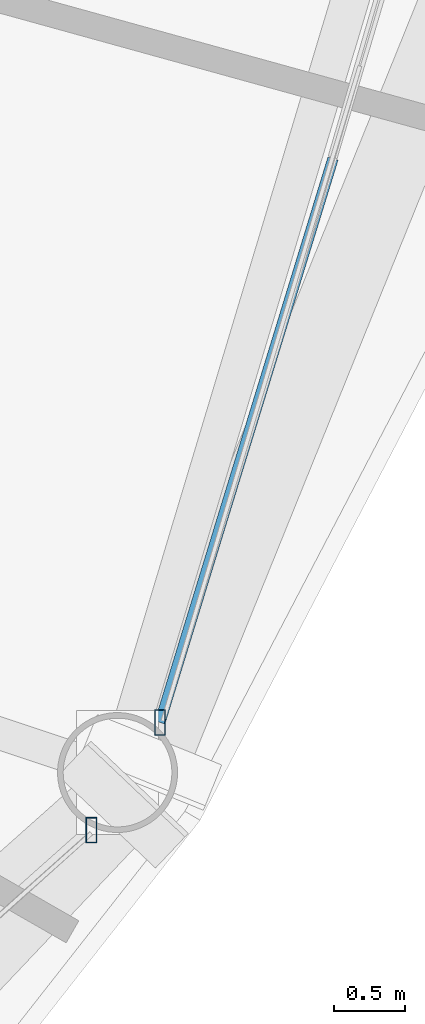
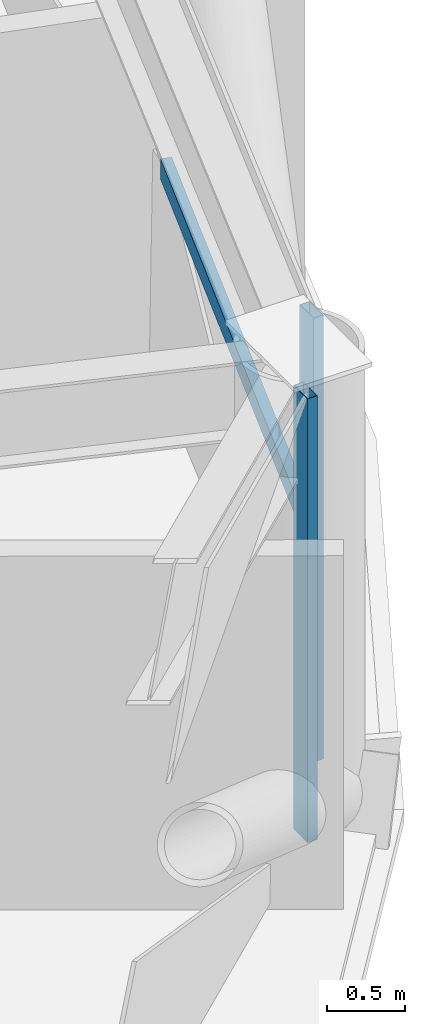
# One storey, part 10 of 31: 3 members, 2 elements without a shape of their own.
"""IFC4 building model written with IfcOpenShell, lengths in metres."""

from ifc_helpers import new_model, si_unit, direction, frame, origin, origin_2d, place, context, subcontext, project, spatial, hollow_rectangle, extrude, material, layer, layer_set, material_profile, profile_set, type_object, element, aggregate, save


model = new_model("IFC4")

# Units and contexts
model_context = context("Model", 3, precision=1e-05, world=origin(), true_north=direction((0.0, 1.0)))
body_context = subcontext(model_context, "Body", "Model", "MODEL_VIEW")
ifc_project = project(units=[si_unit("LENGTHUNIT", "METRE"), si_unit("AREAUNIT", "SQUARE_METRE"), si_unit("VOLUMEUNIT", "CUBIC_METRE"), si_unit("PLANEANGLEUNIT", "RADIAN"), si_unit("MASSUNIT", "GRAM", prefix="KILO")], contexts=[model_context])

# Site, building, storey
site_placement = place(None, origin())
site = spatial("IfcSite", under=ifc_project, at=site_placement, CompositionType="ELEMENT")
building_placement = place(site_placement, origin())
building = spatial("IfcBuilding", under=site, at=building_placement, Name="Vantalir Tower", CompositionType="ELEMENT")
storey_placement = place(building_placement, frame((0.0, 0.0, 34.5)))
storey = spatial("IfcBuildingStorey", under=building, at=storey_placement, Name="L07", CompositionType="ELEMENT", Elevation=34.5)

# Curtain wall, member
ifc_material_1 = material(Name="Champagne-silver PVDF aluminium and double-silver Low-E glass", Category="aluminium")
ifc_layer = layer(ifc_material_1, 0.18994140625)
ifc_layer_set = layer_set([ifc_layer], Name="Champagne-silver PVDF aluminium and double-silver Low-E glass")
curtain_wall_type = type_object("IfcCurtainWallType", Name="CW-DIAMOND-Z1", PredefinedType="USERDEFINED", material=ifc_layer_set)
curtain_wall_1_placement = place(storey_placement, origin())
curtain_wall_1 = element("IfcCurtainWall", 1, at=curtain_wall_1_placement, inside=storey, type_object=curtain_wall_type, Name="L07 Quilted Pyramid-Diamond Curtain Wall S11", ObjectType="UNITISED CURTAIN WALL", PredefinedType="USERDEFINED")
ifc_material_2 = material(Name="Champagne-silver PVDF aluminium 6063-T6", Category="aluminium")
ifc_material_profile_1 = material_profile(ifc_material_2, hollow_rectangle(XDim=0.074951171875, YDim=0.179931640625, WallThickness=0.00390625, at=origin_2d()), Name="Champagne-silver PVDF aluminium 6063-T6")
ifc_profile_set_1 = profile_set([ifc_material_profile_1], Name="Champagne-silver PVDF aluminium 6063-T6")
member_type_1 = type_object("IfcMemberType", Name="CWM-180x75", PredefinedType="MULLION", material=ifc_profile_set_1)
member_1_placement = place(storey_placement, frame((53.35400390625, 13.260009765625, 0.044921875), z_axis=(0.0, 0.0, 1.0), x_axis=(1.0, 0.0, 0.0)))
member_1 = element("IfcMember", 2, at=member_1_placement, type_object=member_type_1, Name="CW-L07-S11 Mullion 2", PredefinedType="MULLION", context=body_context, shape_type="SweptSolid", body=[
    extrude(hollow_rectangle(XDim=0.074951171875, YDim=0.179931640625, WallThickness=0.00390625, at=origin_2d()), origin(), (0.0, 0.0, 1.0), 3.47998046875),
])
aggregate(curtain_wall_1, [member_1])

# Curtain wall, members
curtain_wall_2_placement = place(storey_placement, origin())
curtain_wall_2 = element("IfcCurtainWall", 3, at=curtain_wall_2_placement, inside=storey, type_object=curtain_wall_type, Name="L07 Quilted Pyramid-Diamond Curtain Wall S12", ObjectType="UNITISED CURTAIN WALL", PredefinedType="USERDEFINED")
member_2_placement = place(storey_placement, frame((53.840087890625, 14.02294921875, 0.044921875), z_axis=(0.0, 0.0, 1.0), x_axis=(1.0, 0.0, 0.0)))
member_2 = element("IfcMember", 4, at=member_2_placement, type_object=member_type_1, Name="CW-L07-S12 Mullion 1", PredefinedType="MULLION", context=body_context, shape_type="SweptSolid", body=[
    extrude(hollow_rectangle(XDim=0.074951171875, YDim=0.179931640625, WallThickness=0.00390625, at=origin_2d()), origin(), (0.0, 0.0, 1.0), 3.47998046875),
])
ifc_material_profile_2 = material_profile(ifc_material_2, hollow_rectangle(XDim=0.074951171875, YDim=0.159912109375, WallThickness=0.00390625, at=origin_2d()), Name="Champagne-silver PVDF aluminium 6063-T6")
ifc_profile_set_2 = profile_set([ifc_material_profile_2], Name="Champagne-silver PVDF aluminium 6063-T6")
member_type_2 = type_object("IfcMemberType", Name="CWT-160x75", PredefinedType="USERDEFINED", material=ifc_profile_set_2)
member_3_placement = place(storey_placement, frame((53.840087890625, 14.02294921875, 1.784912109375), z_axis=(0.293465610057, 0.955969631167, 0.0), x_axis=(-0.955969631167, 0.293465610057, 0.0)))
member_3 = element("IfcMember", 5, at=member_3_placement, type_object=member_type_2, Name="CW-L07-S12 Pyramid Fold Ridge Transom", ObjectType="TRANSOM", PredefinedType="USERDEFINED", context=body_context, shape_type="SweptSolid", body=[
    extrude(hollow_rectangle(XDim=0.074951171875, YDim=0.159912109375, WallThickness=0.00390625, at=origin_2d()), origin(), (0.0, 0.0, 1.0), 4.177001953125),
])
aggregate(curtain_wall_2, [member_2, member_3])

save(model, "model.ifc")
